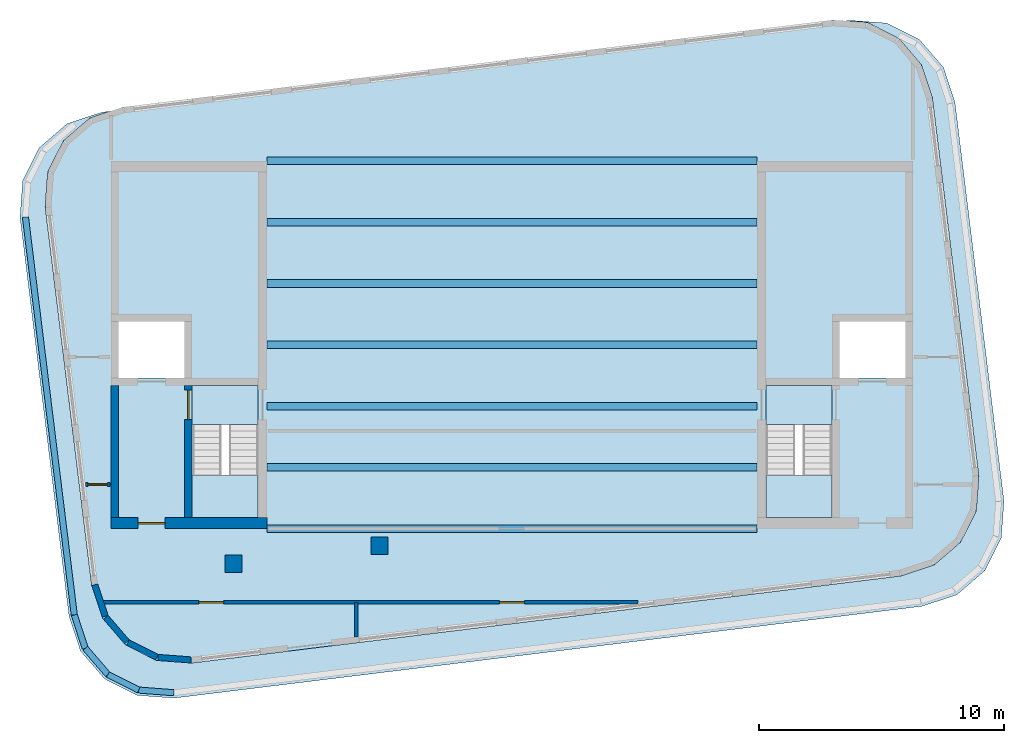
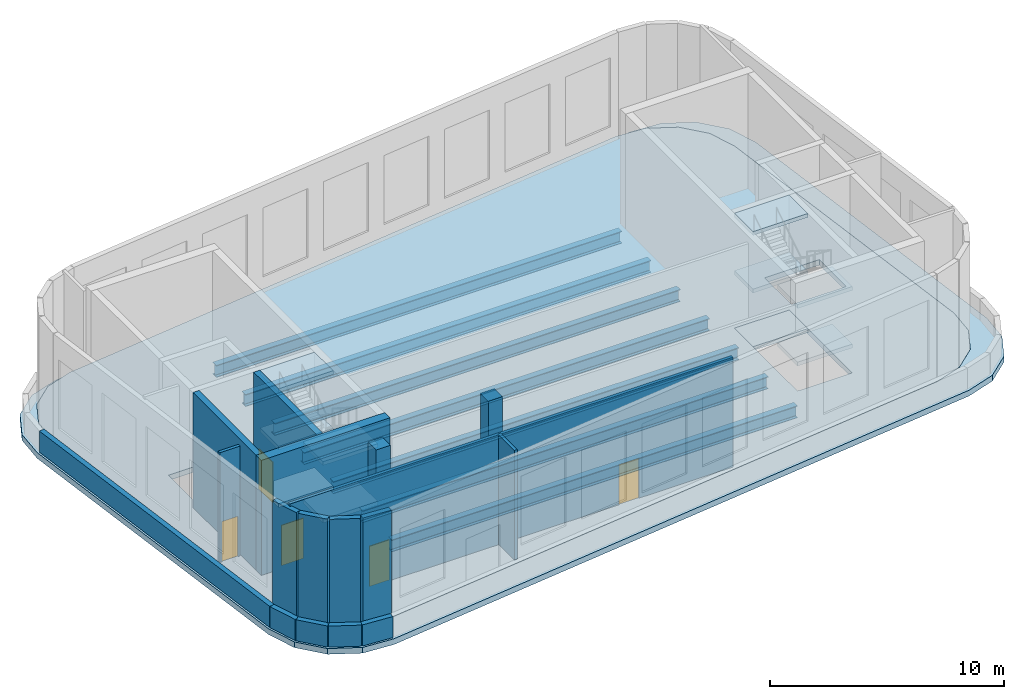
# One storey, part 1 of 5: 15 walls, 12 slabs, 7 beams, 5 doors, 2 columns, 5 openings, 2 elements without a shape of their own.
"""IFC4 building model written with IfcOpenShell, lengths in metres."""

from ifc_helpers import new_model, si_unit, direction, frame, frame_2d, origin, origin_2d, place, context, subcontext, project, spatial, polyline, rectangle, i_section, outline, extrude, material, layer, layer_set, material_profile, profile_set, type_object, element, fill, aggregate, save


model = new_model("IFC4")

# Units and contexts
model_context = context("Model", 3, precision=1e-05, world=origin(), true_north=direction((0.0, 1.0)))
body_context = subcontext(model_context, "Body", "Model", "MODEL_VIEW")
ifc_project = project(units=[si_unit("LENGTHUNIT", "METRE"), si_unit("AREAUNIT", "SQUARE_METRE"), si_unit("VOLUMEUNIT", "CUBIC_METRE"), si_unit("PLANEANGLEUNIT", "RADIAN"), si_unit("MASSUNIT", "GRAM", prefix="KILO")], contexts=[model_context])

# Site, building, storey
site_placement = place(None, origin())
site = spatial("IfcSite", under=ifc_project, at=site_placement, CompositionType="ELEMENT")
building_placement = place(site_placement, origin())
building = spatial("IfcBuilding", under=site, at=building_placement, Name="Torana Hotel and Residences", CompositionType="ELEMENT")
storey_placement = place(building_placement, frame((0.0, 0.0, 357.39990234375)))
storey = spatial("IfcBuildingStorey", under=building, at=storey_placement, Name="C4", CompositionType="ELEMENT", Elevation=357.39990234375)

# Columns
ifc_material_1 = material(Name="Concrete C40/50", Category="concrete")
ifc_material_profile_1 = material_profile(ifc_material_1, rectangle(XDim=0.699951171875, YDim=0.699951171875, at=origin_2d()), Name="RC 700x700")
ifc_profile_set_1 = profile_set([ifc_material_profile_1], Name="Concrete C40/50")
column_type = type_object("IfcColumnType", Name="COLUMN RC 700x700 C40/50", PredefinedType="COLUMN", material=ifc_profile_set_1)
for number, where, z_axis, x_axis, name in (
    (1, (-11.362060546875, -16.428955078125, 0.0), (0.0, 0.0, 1.0), (1.0, 0.0, 0.0), "Column C4"),
    (2, (-5.406982421875, -15.697998046875, 0.0), (0.0, 0.0, 1.0), (1.0, 0.0, 0.0), "Column C4"),
):
    element("IfcColumn", number, at=place(storey_placement, frame(where, z_axis=z_axis, x_axis=x_axis)), inside=storey, type_object=column_type, Name=name, PredefinedType="COLUMN", context=body_context, shape_type="SweptSolid", body=[
        extrude(rectangle(XDim=0.699951171875, YDim=0.699951171875, at=origin_2d()), origin(), (0.0, 0.0, 1.0), 6.0),
    ])

# Beams
ifc_material_2 = material(Name="Steel S355", Category="steel")
ifc_material_profile_2 = material_profile(ifc_material_2, i_section(OverallWidth=0.311279296875, OverallDepth=0.6357421875, WebThickness=0.018310546875, FlangeThickness=0.031494140625, FilletRadius=0.0166015625, at=origin_2d()), Name="610x305x238 UB")
ifc_profile_set_2 = profile_set([ifc_material_profile_2], Name="Steel S355")
beam_type = type_object("IfcBeamType", Name="STEEL GIRDER 610x305x238 UB", PredefinedType="BEAM", material=ifc_profile_set_2)
for number, where, z_axis, x_axis, name in (
    (3, (-10.0, -15.0, -0.597900390625), (1.0, 0.0, 0.0), (0.0, 1.0, 0.0), "Floor girder"),
    (4, (-10.0, -12.5, -0.597900390625), (1.0, 0.0, 0.0), (0.0, 1.0, 0.0), "Floor girder"),
    (5, (-10.0, -10.0, -0.597900390625), (1.0, 0.0, 0.0), (0.0, 1.0, 0.0), "Floor girder"),
    (6, (-10.0, -7.5, -0.597900390625), (1.0, 0.0, 0.0), (0.0, 1.0, 0.0), "Floor girder"),
    (7, (-10.0, -5.0, -0.597900390625), (1.0, 0.0, 0.0), (0.0, 1.0, 0.0), "Floor girder"),
    (8, (-10.0, -2.5, -0.597900390625), (1.0, 0.0, 0.0), (0.0, 1.0, 0.0), "Floor girder"),
    (9, (-10.0, 0.0, -0.597900390625), (1.0, 0.0, 0.0), (0.0, 1.0, 0.0), "Floor girder"),
):
    element("IfcBeam", number, at=place(storey_placement, frame(where, z_axis=z_axis, x_axis=x_axis)), inside=storey, type_object=beam_type, Name=name, PredefinedType="BEAM", context=body_context, shape_type="SweptSolid", body=[
        extrude(i_section(OverallWidth=0.311279296875, OverallDepth=0.6357421875, WebThickness=0.018310546875, FlangeThickness=0.031494140625, FilletRadius=0.0166015625, at=origin_2d()), origin(), (0.0, 0.0, 1.0), 20.0),
    ])

# Slab
ifc_material_3 = material(Name="Concrete C40/50", Category="concrete")
ifc_layer_1 = layer(ifc_material_3, 0.280029296875)
ifc_layer_set_1 = layer_set([ifc_layer_1], Name="FLOOR SLAB PT 280")
slab_type_1 = type_object("IfcSlabType", Name="FLOOR SLAB PT 280", PredefinedType="FLOOR", material=ifc_layer_set_1)
slab_1_placement = place(storey_placement, frame((0.0, 0.0, -0.27978515625)))
element("IfcSlab", 10, at=slab_1_placement, inside=storey, type_object=slab_type_1, Name="Floor slab", PredefinedType="FLOOR", context=body_context, shape_type="SweptSolid", body=[
    extrude(outline(polyline([(17.1416015625, 2.57421875), (16.696044921875, 3.9248046875), (15.767822265625, 5.002197265625), (14.497802734375, 5.642333984375), (13.07958984375, 5.747802734375), (-15.86328125, 2.194091796875), (-17.2138671875, 1.74853515625), (-18.291259765625, 0.8203125), (-18.931396484375, -0.44970703125), (-19.036865234375, -1.867919921875), (-17.1416015625, -17.30419921875), (-16.696044921875, -18.65478515625), (-15.767822265625, -19.732177734375), (-14.497802734375, -20.372314453125), (-13.07958984375, -20.477783203125), (15.86328125, -16.924072265625), (17.2138671875, -16.478515625), (18.291259765625, -15.55029296875), (18.931396484375, -14.2802734375), (19.036865234375, -12.862060546875), (17.1416015625, 2.57421875)]), holes=[polyline([(-13.050048828125, -14.550048828125), (-10.35009765625, -14.550048828125), (-10.35009765625, -9.14990234375), (-13.050048828125, -9.14990234375), (-13.050048828125, -14.550048828125)]), polyline([(-16.050048828125, -8.85009765625), (-13.35009765625, -8.85009765625), (-13.35009765625, -6.550048828125), (-16.050048828125, -6.550048828125), (-16.050048828125, -8.85009765625)]), polyline([(10.35009765625, -14.550048828125), (13.050048828125, -14.550048828125), (13.050048828125, -9.14990234375), (10.35009765625, -9.14990234375), (10.35009765625, -14.550048828125)]), polyline([(13.35009765625, -8.85009765625), (16.050048828125, -8.85009765625), (16.050048828125, -6.550048828125), (13.35009765625, -6.550048828125), (13.35009765625, -8.85009765625)])]), origin(), (0.0, 0.0, 1.0), 0.27978515625),
])

# Stair, slabs
ifc_material_4 = material(Name="Concrete C40/50 precast", Category="concrete")
stair_type_1 = type_object("IfcStairType", Name="STAIR ST1 HALF TURN 1200", PredefinedType="HALF_TURN_STAIR", material=ifc_material_4)
stair_1_placement = place(storey_placement, origin())
stair_1 = element("IfcStair", 11, at=stair_1_placement, inside=storey, type_object=stair_type_1, Name="Stair ST1 C4", PredefinedType="HALF_TURN_STAIR")
ifc_material_5 = material(Name="Concrete C40/50 precast", Category="concrete")
ifc_layer_2 = layer(ifc_material_5, 0.199951171875)
ifc_layer_set_2 = layer_set([ifc_layer_2], Name="STAIR LANDING 200")
slab_type_2 = type_object("IfcSlabType", Name="STAIR LANDING 200", PredefinedType="LANDING", material=ifc_layer_set_2)
slab_2_placement = place(storey_placement, frame((0.0, 0.0, 1.300048828125)))
slab_2 = element("IfcSlab", 12, at=slab_2_placement, type_object=slab_type_2, Name="ST1 landing 1", PredefinedType="LANDING", context=body_context, shape_type="SweptSolid", body=[
    extrude(outline(polyline([(-13.050048828125, -14.550048828125), (-10.35009765625, -14.550048828125), (-10.35009765625, -12.830078125), (-13.050048828125, -12.830078125), (-13.050048828125, -14.550048828125)])), origin(), (0.0, 0.0, 1.0), 0.199951171875),
])
slab_3_placement = place(storey_placement, frame((0.0, 0.0, -0.199951171875)))
slab_3 = element("IfcSlab", 13, at=slab_3_placement, type_object=slab_type_2, Name="ST1 landing 2", PredefinedType="LANDING", context=body_context, shape_type="SweptSolid", body=[
    extrude(outline(polyline([(-13.050048828125, -10.75), (-10.35009765625, -10.75), (-10.35009765625, -9.14990234375), (-13.050048828125, -9.14990234375), (-13.050048828125, -10.75)])), origin(), (0.0, 0.0, 1.0), 0.199951171875),
])
slab_4_placement = place(storey_placement, frame((0.0, 0.0, 4.300048828125)))
slab_4 = element("IfcSlab", 14, at=slab_4_placement, type_object=slab_type_2, Name="ST1 landing 3", PredefinedType="LANDING", context=body_context, shape_type="SweptSolid", body=[
    extrude(outline(polyline([(-13.050048828125, -14.550048828125), (-10.35009765625, -14.550048828125), (-10.35009765625, -12.830078125), (-13.050048828125, -12.830078125), (-13.050048828125, -14.550048828125)])), origin(), (0.0, 0.0, 1.0), 0.199951171875),
])
slab_5_placement = place(storey_placement, frame((0.0, 0.0, 2.800048828125)))
slab_5 = element("IfcSlab", 15, at=slab_5_placement, type_object=slab_type_2, Name="ST1 landing 4", PredefinedType="LANDING", context=body_context, shape_type="SweptSolid", body=[
    extrude(outline(polyline([(-13.050048828125, -10.75), (-10.35009765625, -10.75), (-10.35009765625, -9.14990234375), (-13.050048828125, -9.14990234375), (-13.050048828125, -10.75)])), origin(), (0.0, 0.0, 1.0), 0.199951171875),
])
slab_6_placement = place(storey_placement, frame((0.0, 0.0, 5.800048828125)))
slab_6 = element("IfcSlab", 16, at=slab_6_placement, type_object=slab_type_2, Name="ST1 landing 5", PredefinedType="LANDING", context=body_context, shape_type="SweptSolid", body=[
    extrude(outline(polyline([(-13.050048828125, -10.75), (-10.35009765625, -10.75), (-10.35009765625, -9.14990234375), (-13.050048828125, -9.14990234375), (-13.050048828125, -10.75)])), origin(), (0.0, 0.0, 1.0), 0.199951171875),
])
aggregate(stair_1, [slab_2, slab_3, slab_4, slab_5, slab_6])

ifc_material_6 = material(Name="Concrete C40/50 precast", Category="concrete")
stair_type_2 = type_object("IfcStairType", Name="STAIR ST3 HALF TURN 1200", PredefinedType="HALF_TURN_STAIR", material=ifc_material_6)
stair_2_placement = place(storey_placement, origin())
stair_2 = element("IfcStair", 17, at=stair_2_placement, inside=storey, type_object=stair_type_2, Name="Stair ST3 C4", PredefinedType="HALF_TURN_STAIR")
slab_7_placement = place(storey_placement, frame((0.0, 0.0, 1.300048828125)))
slab_7 = element("IfcSlab", 18, at=slab_7_placement, type_object=slab_type_2, Name="ST3 landing 1", PredefinedType="LANDING", context=body_context, shape_type="SweptSolid", body=[
    extrude(outline(polyline([(10.35009765625, -14.550048828125), (13.050048828125, -14.550048828125), (13.050048828125, -12.830078125), (10.35009765625, -12.830078125), (10.35009765625, -14.550048828125)])), origin(), (0.0, 0.0, 1.0), 0.199951171875),
])
slab_8_placement = place(storey_placement, frame((0.0, 0.0, -0.199951171875)))
slab_8 = element("IfcSlab", 19, at=slab_8_placement, type_object=slab_type_2, Name="ST3 landing 2", PredefinedType="LANDING", context=body_context, shape_type="SweptSolid", body=[
    extrude(outline(polyline([(10.35009765625, -10.75), (13.050048828125, -10.75), (13.050048828125, -9.14990234375), (10.35009765625, -9.14990234375), (10.35009765625, -10.75)])), origin(), (0.0, 0.0, 1.0), 0.199951171875),
])
slab_9_placement = place(storey_placement, frame((0.0, 0.0, 4.300048828125)))
slab_9 = element("IfcSlab", 20, at=slab_9_placement, type_object=slab_type_2, Name="ST3 landing 3", PredefinedType="LANDING", context=body_context, shape_type="SweptSolid", body=[
    extrude(outline(polyline([(10.35009765625, -14.550048828125), (13.050048828125, -14.550048828125), (13.050048828125, -12.830078125), (10.35009765625, -12.830078125), (10.35009765625, -14.550048828125)])), origin(), (0.0, 0.0, 1.0), 0.199951171875),
])
slab_10_placement = place(storey_placement, frame((0.0, 0.0, 2.800048828125)))
slab_10 = element("IfcSlab", 21, at=slab_10_placement, type_object=slab_type_2, Name="ST3 landing 4", PredefinedType="LANDING", context=body_context, shape_type="SweptSolid", body=[
    extrude(outline(polyline([(10.35009765625, -10.75), (13.050048828125, -10.75), (13.050048828125, -9.14990234375), (10.35009765625, -9.14990234375), (10.35009765625, -10.75)])), origin(), (0.0, 0.0, 1.0), 0.199951171875),
])
slab_11_placement = place(storey_placement, frame((0.0, 0.0, 5.800048828125)))
slab_11 = element("IfcSlab", 22, at=slab_11_placement, type_object=slab_type_2, Name="ST3 landing 5", PredefinedType="LANDING", context=body_context, shape_type="SweptSolid", body=[
    extrude(outline(polyline([(10.35009765625, -10.75), (13.050048828125, -10.75), (13.050048828125, -9.14990234375), (10.35009765625, -9.14990234375), (10.35009765625, -10.75)])), origin(), (0.0, 0.0, 1.0), 0.199951171875),
])
aggregate(stair_2, [slab_7, slab_8, slab_9, slab_10, slab_11])

# Slab
ifc_material_7 = material(Name="Concrete C40/50", Category="concrete")
ifc_layer_3 = layer(ifc_material_7, 0.300048828125)
ifc_layer_set_3 = layer_set([ifc_layer_3], Name="TR1 TERRACE SLAB 300")
slab_type_3 = type_object("IfcSlabType", Name="TR1 TERRACE SLAB 300", PredefinedType="USERDEFINED", material=ifc_layer_set_3)
slab_12_placement = place(storey_placement, frame((0.0, 0.0, -0.2998046875)))
element("IfcSlab", 23, at=slab_12_placement, inside=storey, type_object=slab_type_3, Name="Terrace C4 1", ObjectType="TERRACE", PredefinedType="USERDEFINED", context=body_context, shape_type="SweptSolid", body=[
    extrude(outline(polyline([(13.787109375, 5.73388671875), (15.281982421875, 5.623046875), (16.62060546875, 4.9482421875), (17.599365234375, 3.8125), (18.068603515625, 2.388916015625), (20.06640625, -13.88232421875), (19.955322265625, -15.377197265625), (19.28076171875, -16.716064453125), (18.14501953125, -17.694580078125), (16.72119140625, -18.1640625), (-13.787109375, -21.909912109375), (-15.281982421875, -21.798828125), (-16.62060546875, -21.1240234375), (-17.599365234375, -19.98828125), (-18.068603515625, -18.564697265625), (-20.06640625, -2.293701171875), (-19.955322265625, -0.798583984375), (-19.28076171875, 0.5400390625), (-18.14501953125, 1.518798828125), (-16.72119140625, 1.98828125), (-16.35400390625, 2.033203125), (-17.214111328125, 1.74951171875), (-17.21435546875, 1.74951171875), (-17.21435546875, 1.74951171875), (-17.214599609375, 1.74951171875), (-17.214599609375, 1.74951171875), (-18.2919921875, 0.821044921875), (-18.2919921875, 0.821044921875), (-18.2919921875, 0.82080078125), (-18.2919921875, 0.82080078125), (-18.292236328125, 0.82080078125), (-18.932373046875, -0.44921875), (-18.932373046875, -0.44921875), (-18.932373046875, -0.449462890625), (-18.932373046875, -0.449462890625), (-18.932373046875, -0.44970703125), (-19.037841796875, -1.867919921875), (-19.037841796875, -1.867919921875), (-19.037841796875, -1.8681640625), (-17.142578125, -17.30419921875), (-17.142578125, -17.30419921875), (-17.142333984375, -17.304443359375), (-16.697021484375, -18.655029296875), (-16.697021484375, -18.6552734375), (-16.697021484375, -18.6552734375), (-16.697021484375, -18.655517578125), (-16.697021484375, -18.655517578125), (-15.7685546875, -19.73291015625), (-15.7685546875, -19.73291015625), (-15.768310546875, -19.73291015625), (-15.768310546875, -19.73291015625), (-15.768310546875, -19.733154296875), (-14.498291015625, -20.373291015625), (-14.498291015625, -20.373291015625), (-14.498046875, -20.373291015625), (-14.498046875, -20.373291015625), (-14.497802734375, -20.373291015625), (-13.07958984375, -20.478759765625), (-13.07958984375, -20.478759765625), (-13.079345703125, -20.478759765625), (15.86328125, -16.925048828125), (15.86328125, -16.925048828125), (15.863525390625, -16.925048828125), (17.214111328125, -16.4794921875), (17.21435546875, -16.4794921875), (17.21435546875, -16.4794921875), (17.214599609375, -16.4794921875), (17.214599609375, -16.4794921875), (18.2919921875, -15.551025390625), (18.2919921875, -15.551025390625), (18.2919921875, -15.55078125), (18.2919921875, -15.55078125), (18.292236328125, -15.55078125), (18.932373046875, -14.28076171875), (18.932373046875, -14.28076171875), (18.932373046875, -14.280517578125), (18.932373046875, -14.280517578125), (18.932373046875, -14.280517578125), (19.037841796875, -12.862060546875), (19.037841796875, -12.862060546875), (19.037841796875, -12.86181640625), (17.142578125, 2.57421875), (17.142578125, 2.57421875), (17.142333984375, 2.574462890625), (16.697021484375, 3.925048828125), (16.697021484375, 3.92529296875), (16.697021484375, 3.92529296875), (16.697021484375, 3.92529296875), (16.697021484375, 3.925537109375), (15.7685546875, 5.0029296875), (15.7685546875, 5.0029296875), (15.768310546875, 5.0029296875), (15.768310546875, 5.0029296875), (15.768310546875, 5.003173828125), (14.498291015625, 5.643310546875), (14.498291015625, 5.643310546875), (14.498046875, 5.643310546875), (14.498046875, 5.643310546875), (14.497802734375, 5.643310546875), (13.5947265625, 5.71044921875), (13.787109375, 5.73388671875)])), origin(), (0.0, 0.0, 1.0), 0.2998046875),
])

# Wall
ifc_material_8 = material(Name="Concrete C50/60", Category="concrete")
ifc_layer_4 = layer(ifc_material_8, 0.300048828125)
ifc_layer_set_4 = layer_set([ifc_layer_4], Name="CORE WALL 300 C50/60")
wall_type_1 = type_object("IfcWallType", Name="CORE WALL 300 C50/60", PredefinedType="SHEAR", material=ifc_layer_set_4)
wall_1_placement = place(storey_placement, frame((-16.199951171875, -14.550048828125, 0.0), z_axis=(0.0, 0.0, 1.0), x_axis=(0.0, 1.0, 0.0)))
element("IfcWall", 24, at=wall_1_placement, inside=storey, type_object=wall_type_1, Name="Core wall W outer-s", PredefinedType="SHEAR", context=body_context, shape_type="SweptSolid", body=[
    extrude(rectangle(XDim=5.400146484375, YDim=0.300048828125, at=frame_2d((2.7001953125, 0.0))), origin(), (0.0, 0.0, 1.0), 6.0),
])

# Wall, opening, door
wall_2_placement = place(storey_placement, frame((-13.199951171875, -14.550048828125, 0.0), z_axis=(0.0, 0.0, 1.0), x_axis=(0.0, 1.0, 0.0)))
wall_2 = element("IfcWall", 25, at=wall_2_placement, inside=storey, type_object=wall_type_1, Name="Core wall W x3.05-band", PredefinedType="SHEAR", context=body_context, shape_type="SweptSolid", body=[
    extrude(rectangle(XDim=5.400146484375, YDim=0.300048828125, at=frame_2d((2.7001953125, 0.0))), origin(), (0.0, 0.0, 1.0), 6.0),
])
opening_1_placement = place(wall_2_placement, frame((4.0, 0.0, 0.0)))
opening_1 = element("IfcOpeningElement", 26, at=opening_1_placement, cuts=wall_2, Name="Opening C4-03", PredefinedType="OPENING", context=body_context, shape_type="SweptSolid", body=[
    extrude(rectangle(XDim=1.199951171875, YDim=2.10009765625, at=frame_2d((0.60009765625, 1.050048828125))), frame((0.0, 0.159912109375, 0.0), z_axis=(0.0, -1.0, 0.0), x_axis=(1.0, 0.0, 0.0)), (0.0, 0.0, 1.0), 0.320068359375),
])
ifc_material_9 = material(Name="Steel S235", Category="steel")
door_type_1 = type_object("IfcDoorType", Name="STAIR FIRE DOOR D3 1200x2100", OperationType="SINGLE_SWING_LEFT", PredefinedType="DOOR", material=ifc_material_9)
door_1_placement = place(opening_1_placement, frame((0.60009765625, 0.0, 0.0), z_axis=(0.0, 0.0, 1.0), x_axis=(-1.0, 0.0, 0.0)))
door_1 = element("IfcDoor", 27, at=door_1_placement, inside=storey, type_object=door_type_1, Name="Stair-A-lobby door C4", OperationType="SINGLE_SWING_RIGHT", OverallHeight=2.10009765625, OverallWidth=1.199951171875, PredefinedType="DOOR", context=body_context, shape_type="SweptSolid", body=[
    extrude(rectangle(XDim=1.199951171875, YDim=2.10009765625, at=frame_2d((0.0, 1.050048828125))), frame((0.0, -0.02490234375, 0.0), z_axis=(0.0, 1.0, 0.0), x_axis=(-1.0, 0.0, 0.0)), (0.0, 0.0, 1.0), 0.050048828125),
])
fill(opening_1, door_1)

ifc_material_10 = material(Name="Concrete C50/60", Category="concrete")
ifc_layer_5 = layer(ifc_material_10, 0.449951171875)
ifc_layer_set_5 = layer_set([ifc_layer_5], Name="CORE WALL 450 C50/60")
wall_type_2 = type_object("IfcWallType", Name="CORE WALL 450 C50/60", PredefinedType="SHEAR", material=ifc_layer_set_5)
wall_3_placement = place(storey_placement, frame((-16.35009765625, -14.77490234375, 0.0), z_axis=(0.0, 0.0, 1.0), x_axis=(1.0, 0.0, 0.0)))
wall_3 = element("IfcWall", 28, at=wall_3_placement, inside=storey, type_object=wall_type_2, Name="Core wall W front", PredefinedType="SHEAR", context=body_context, shape_type="SweptSolid", body=[
    extrude(rectangle(XDim=6.35009765625, YDim=0.449951171875, at=frame_2d((3.175048828125, 0.0))), origin(), (0.0, 0.0, 1.0), 6.0),
])
opening_2_placement = place(wall_3_placement, frame((1.10009765625, 0.0, 0.0)))
opening_2 = element("IfcOpeningElement", 29, at=opening_2_placement, cuts=wall_3, Name="Opening C4-02", PredefinedType="OPENING", context=body_context, shape_type="SweptSolid", body=[
    extrude(rectangle(XDim=1.10009765625, YDim=2.10009765625, at=frame_2d((0.550048828125, 1.050048828125))), frame((0.0, 0.23486328125, 0.0), z_axis=(0.0, -1.0, 0.0), x_axis=(1.0, 0.0, 0.0)), (0.0, 0.0, 1.0), 0.469970703125),
])
ifc_material_11 = material(Name="Steel S235", Category="steel")
door_type_2 = type_object("IfcDoorType", Name="FIRE-FIGHTING LOBBY DOOR D8 1100x2100", OperationType="SINGLE_SWING_LEFT", PredefinedType="DOOR", material=ifc_material_11)
door_2_placement = place(opening_2_placement, origin())
door_2 = element("IfcDoor", 30, at=door_2_placement, inside=storey, type_object=door_type_2, Name="FF-lobby door C4", OperationType="SINGLE_SWING_RIGHT", OverallHeight=2.10009765625, OverallWidth=1.10009765625, PredefinedType="DOOR", context=body_context, shape_type="SweptSolid", body=[
    extrude(rectangle(XDim=1.10009765625, YDim=2.10009765625, at=frame_2d((0.550048828125, 1.050048828125))), frame((0.0, 0.02490234375, 0.0), z_axis=(0.0, -1.0, 0.0), x_axis=(1.0, 0.0, 0.0)), (0.0, 0.0, 1.0), 0.050048828125),
])
fill(opening_2, door_2)

# Walls
ifc_material_12 = material(Name="Aluminium louvre wall", Category="aluminium")
ifc_layer_6 = layer(ifc_material_12, 0.25)
ifc_layer_set_6 = layer_set([ifc_layer_6], Name="EW3 LOUVRE WALL 250")
wall_type_3 = type_object("IfcWallType", Name="EW3 LOUVRE WALL 250", PredefinedType="SOLIDWALL", material=ifc_layer_set_6)
wall_4_placement = place(storey_placement, frame((-17.01513671875, -17.288330078125, 0.0), z_axis=(0.0, 0.0, 1.0), x_axis=(0.313183064829, -0.949692775535, 0.0)))
element("IfcWall", 31, at=wall_4_placement, inside=storey, type_object=wall_type_3, Name="Louvre wall C4 e0.10", PredefinedType="SOLIDWALL", context=body_context, shape_type="SweptSolid", body=[
    extrude(rectangle(XDim=1.347900390625, YDim=0.25, at=frame_2d((0.673828125, 0.0))), origin(), (0.0, 0.0, 1.0), 5.590087890625),
])
wall_5_placement = place(storey_placement, frame((-16.56884765625, -18.61083984375, 0.0), z_axis=(0.0, 0.0, 1.0), x_axis=(0.652735106061, -0.757586220384, 0.0)))
element("IfcWall", 32, at=wall_5_placement, inside=storey, type_object=wall_type_3, Name="Louvre wall C4 e0.11", PredefinedType="SOLIDWALL", context=body_context, shape_type="SweptSolid", body=[
    extrude(rectangle(XDim=1.322509765625, YDim=0.25, at=frame_2d((0.6611328125, 0.0))), origin(), (0.0, 0.0, 1.0), 5.590087890625),
])
wall_6_placement = place(storey_placement, frame((-15.6669921875, -19.64306640625, 0.0), z_axis=(0.0, 0.0, 1.0), x_axis=(0.893019948066, -0.450017080071, 0.0)))
element("IfcWall", 33, at=wall_6_placement, inside=storey, type_object=wall_type_3, Name="Louvre wall C4 e0.12", PredefinedType="SOLIDWALL", context=body_context, shape_type="SweptSolid", body=[
    extrude(rectangle(XDim=1.32275390625, YDim=0.25, at=frame_2d((0.661376953125, 0.0))), origin(), (0.0, 0.0, 1.0), 5.590087890625),
])
wall_7_placement = place(storey_placement, frame((-14.43896484375, -20.251220703125, 0.0), z_axis=(0.0, 0.0, 1.0), x_axis=(0.99723901669, -0.074258626379, 0.0)))
element("IfcWall", 34, at=wall_7_placement, inside=storey, type_object=wall_type_3, Name="Louvre wall C4 e0.13", PredefinedType="SOLIDWALL", context=body_context, shape_type="SweptSolid", body=[
    extrude(rectangle(XDim=1.347900390625, YDim=0.25, at=frame_2d((0.673828125, 0.0))), origin(), (0.0, 0.0, 1.0), 5.590087890625),
])

# Wall, openings, doors
ifc_material_13 = material(Name="Gypsum plaster")
ifc_layer_7 = layer(ifc_material_13, 0.014892578125, Name="Plaster", Category="finish")
ifc_material_14 = material(Name="Concrete blockwork", Category="masonry")
ifc_layer_8 = layer(ifc_material_14, 0.1201171875, Name="Blockwork", Category="structure")
ifc_layer_9 = layer(ifc_material_13, 0.014892578125, Name="Plaster", Category="finish")
ifc_layer_set_7 = layer_set([ifc_layer_7, ifc_layer_8, ifc_layer_9], Name="FIRE PARTITION 150 BLOCKWORK")
wall_type_4 = type_object("IfcWallType", Name="FIRE PARTITION 150 BLOCKWORK", PredefinedType="PARTITIONING", material=ifc_layer_set_7)
wall_8_placement = place(storey_placement, frame((-16.722412109375, -18.0, 0.0), z_axis=(0.0, 0.0, 1.0), x_axis=(1.0, 0.0, 0.0)))
wall_8 = element("IfcWall", 35, at=wall_8_placement, inside=storey, type_object=wall_type_4, Name="Partition C4", PredefinedType="PARTITIONING", context=body_context, shape_type="SweptSolid", body=[
    extrude(rectangle(XDim=21.853515625, YDim=0.14990234375, at=frame_2d((10.9267578125, 0.0))), origin(), (0.0, 0.0, 1.0), 5.72021484375),
])
opening_3_placement = place(wall_8_placement, frame((3.95654296875, 0.0, 0.0)))
opening_3 = element("IfcOpeningElement", 36, at=opening_3_placement, cuts=wall_8, Name="Opening C4-08", PredefinedType="OPENING", context=body_context, shape_type="SweptSolid", body=[
    extrude(rectangle(XDim=1.0, YDim=2.10009765625, at=frame_2d((0.5, 1.050048828125))), frame((0.0, 0.0849609375, 0.0), z_axis=(0.0, -1.0, 0.0), x_axis=(1.0, 0.0, 0.0)), (0.0, 0.0, 1.0), 0.169921875),
])
opening_4_placement = place(wall_8_placement, frame((16.222412109375, 0.0, 0.0)))
opening_4 = element("IfcOpeningElement", 37, at=opening_4_placement, cuts=wall_8, Name="Opening C4-09", PredefinedType="OPENING", context=body_context, shape_type="SweptSolid", body=[
    extrude(rectangle(XDim=1.0, YDim=2.10009765625, at=frame_2d((0.5, 1.050048828125))), frame((0.0, 0.0849609375, 0.0), z_axis=(0.0, -1.0, 0.0), x_axis=(1.0, 0.0, 0.0)), (0.0, 0.0, 1.0), 0.169921875),
])
ifc_material_15 = material(Name="Steel S235", Category="steel")
door_type_3 = type_object("IfcDoorType", Name="ENTRY FIRE DOOR D6 1000x2100", OperationType="SINGLE_SWING_LEFT", PredefinedType="DOOR", material=ifc_material_15)
door_3_placement = place(opening_3_placement, frame((0.5, 0.0, 0.0), z_axis=(0.0, 0.0, 1.0), x_axis=(-1.0, 0.0, 0.0)))
door_3 = element("IfcDoor", 38, at=door_3_placement, inside=storey, type_object=door_type_3, Name="Door C4", OperationType="SINGLE_SWING_LEFT", OverallHeight=2.10009765625, OverallWidth=1.0, PredefinedType="DOOR", context=body_context, shape_type="SweptSolid", body=[
    extrude(rectangle(XDim=1.0, YDim=2.10009765625, at=frame_2d((0.0, 1.050048828125))), frame((0.0, -0.02490234375, 0.0), z_axis=(0.0, 1.0, 0.0), x_axis=(-1.0, 0.0, 0.0)), (0.0, 0.0, 1.0), 0.050048828125),
])
fill(opening_3, door_3)
door_4_placement = place(opening_4_placement, frame((0.5, 0.0, 0.0), z_axis=(0.0, 0.0, 1.0), x_axis=(-1.0, 0.0, 0.0)))
door_4 = element("IfcDoor", 39, at=door_4_placement, inside=storey, type_object=door_type_3, Name="Door C4", OperationType="SINGLE_SWING_LEFT", OverallHeight=2.10009765625, OverallWidth=1.0, PredefinedType="DOOR", context=body_context, shape_type="SweptSolid", body=[
    extrude(rectangle(XDim=1.0, YDim=2.10009765625, at=frame_2d((0.0, 1.050048828125))), frame((0.0, -0.02490234375, 0.0), z_axis=(0.0, 1.0, 0.0), x_axis=(-1.0, 0.0, 0.0)), (0.0, 0.0, 1.0), 0.050048828125),
])
fill(opening_4, door_4)

# Wall, opening, door
wall_9_placement = place(storey_placement, frame((-17.403564453125, -13.199951171875, 0.0), z_axis=(0.0, 0.0, 1.0), x_axis=(1.0, 0.0, 0.0)))
wall_9 = element("IfcWall", 40, at=wall_9_placement, inside=storey, type_object=wall_type_4, Name="Partition C4", PredefinedType="PARTITIONING", context=body_context, shape_type="SweptSolid", body=[
    extrude(rectangle(XDim=1.003662109375, YDim=0.14990234375, at=frame_2d((0.501953125, 0.0))), origin(), (0.0, 0.0, 1.0), 5.72021484375),
])
opening_5_placement = place(wall_9_placement, frame((0.101806640625, 0.0, 0.0)))
opening_5 = element("IfcOpeningElement", 41, at=opening_5_placement, cuts=wall_9, Name="Opening C4-10", PredefinedType="OPENING", context=body_context, shape_type="SweptSolid", body=[
    extrude(rectangle(XDim=0.800048828125, YDim=2.10009765625, at=frame_2d((0.39990234375, 1.050048828125))), frame((0.0, 0.0849609375, 0.0), z_axis=(0.0, -1.0, 0.0), x_axis=(1.0, 0.0, 0.0)), (0.0, 0.0, 1.0), 0.169921875),
])
ifc_material_16 = material(Name="Steel S235", Category="steel")
door_type_4 = type_object("IfcDoorType", Name="STORE FIRE DOOR D16 800x2100", OperationType="SINGLE_SWING_LEFT", PredefinedType="DOOR", material=ifc_material_16)
door_5_placement = place(opening_5_placement, origin())
door_5 = element("IfcDoor", 42, at=door_5_placement, inside=storey, type_object=door_type_4, Name="Door C4", OperationType="SINGLE_SWING_RIGHT", OverallHeight=2.10009765625, OverallWidth=0.800048828125, PredefinedType="DOOR", context=body_context, shape_type="SweptSolid", body=[
    extrude(rectangle(XDim=0.800048828125, YDim=2.10009765625, at=frame_2d((0.39990234375, 1.050048828125))), frame((0.0, 0.02490234375, 0.0), z_axis=(0.0, -1.0, 0.0), x_axis=(1.0, 0.0, 0.0)), (0.0, 0.0, 1.0), 0.050048828125),
])
fill(opening_5, door_5)

# Walls
ifc_material_17 = material(Name="Gypsum plasterboard")
ifc_layer_10 = layer(ifc_material_17, 0.012451171875, Name="Plasterboard", Category="finish")
ifc_layer_11 = layer(ifc_material_17, 0.012451171875, Name="Plasterboard", Category="finish")
ifc_material_18 = material(Name="Steel S280GD", Category="steel")
ifc_layer_12 = layer(ifc_material_18, 0.10009765625, Name="Steel studs with mineral wool", Category="insulation")
ifc_layer_13 = layer(ifc_material_17, 0.012451171875, Name="Plasterboard", Category="finish")
ifc_layer_14 = layer(ifc_material_17, 0.012451171875, Name="Plasterboard", Category="finish")
ifc_layer_set_8 = layer_set([ifc_layer_10, ifc_layer_11, ifc_layer_12, ifc_layer_13, ifc_layer_14], Name="PARTITION 150 PLASTERBOARD")
wall_type_5 = type_object("IfcWallType", Name="PARTITION 150 PLASTERBOARD", PredefinedType="PARTITIONING", material=ifc_layer_set_8)
wall_10_placement = place(storey_placement, frame((-6.345947265625, -19.4091796875, 0.0), z_axis=(0.0, 0.0, 1.0), x_axis=(0.0, 1.0, 0.0)))
element("IfcWall", 43, at=wall_10_placement, inside=storey, type_object=wall_type_5, Name="Partition C4", PredefinedType="PARTITIONING", context=body_context, shape_type="SweptSolid", body=[
    extrude(rectangle(XDim=1.4091796875, YDim=0.14990234375, at=frame_2d((0.70458984375, 0.0))), origin(), (0.0, 0.0, 1.0), 5.72021484375),
])
ifc_material_19 = material(Name="Aluminium coping with drip", Category="aluminium")
ifc_layer_15 = layer(ifc_material_19, 0.0029296875, Name="Coping flashing", Category="flashing")
ifc_material_20 = material(Name="Concrete C40/50 precast", Category="concrete")
ifc_layer_16 = layer(ifc_material_20, 0.00390625, Name="Cladding", Category="cladding")
ifc_material_21 = material(Name="Concrete C40/50", Category="concrete")
ifc_layer_17 = layer(ifc_material_21, 0.199951171875, Name="Wall", Category="structure")
ifc_material_22 = material(Name="Mineral wool insulation")
ifc_layer_18 = layer(ifc_material_22, 0.0400390625, Name="Insulation", Category="insulation")
ifc_material_23 = material(Name="Waterproofing upstand")
ifc_layer_19 = layer(ifc_material_23, 0.0029296875, Name="Upstand membrane", Category="membrane")
ifc_layer_set_9 = layer_set([ifc_layer_15, ifc_layer_16, ifc_layer_17, ifc_layer_18, ifc_layer_19], Name="PP1 PARAPET 250")
wall_type_6 = type_object("IfcWallType", Name="PP1 PARAPET 250", PredefinedType="PARAPET", material=ifc_layer_set_9)
wall_11_placement = place(storey_placement, frame((-13.792236328125, -21.68896484375, 0.0), z_axis=(0.0, 0.0, 1.0), x_axis=(-0.997240743077, 0.074235438617, 0.0)))
element("IfcWall", 44, at=wall_11_placement, inside=storey, type_object=wall_type_6, Name="Roof parapet C4 10", PredefinedType="PARAPET", context=body_context, shape_type="SweptSolid", body=[
    extrude(rectangle(XDim=1.433837890625, YDim=0.25, at=frame_2d((0.716796875, 0.0))), origin(), (0.0, 0.0, 1.0), 1.10009765625),
])
for number, where, z_axis, x_axis, name in (
    (45, (-15.22216796875, -21.58251953125, 0.0), (0.0, 0.0, 1.0), (-0.893004402093, 0.450047928384, 0.0), "Roof parapet C4 11"),
    (46, (-16.482666015625, -20.947265625, 0.0), (0.0, 0.0, 1.0), (-0.652754843476, 0.75756921421, 0.0), "Roof parapet C4 12"),
):
    element("IfcWall", number, at=place(storey_placement, frame(where, z_axis=z_axis, x_axis=x_axis)), inside=storey, type_object=wall_type_6, Name=name, PredefinedType="PARAPET", context=body_context, shape_type="SweptSolid", body=[
        extrude(rectangle(XDim=1.41162109375, YDim=0.25, at=frame_2d((0.705810546875, 0.0))), origin(), (0.0, 0.0, 1.0), 1.10009765625),
    ])
wall_12_placement = place(storey_placement, frame((-17.404052734375, -19.8779296875, 0.0), z_axis=(0.0, 0.0, 1.0), x_axis=(-0.313160918809, 0.949700078409, 0.0)))
element("IfcWall", 47, at=wall_12_placement, inside=storey, type_object=wall_type_6, Name="Roof parapet C4 13", PredefinedType="PARAPET", context=body_context, shape_type="SweptSolid", body=[
    extrude(rectangle(XDim=1.43359375, YDim=0.25, at=frame_2d((0.716796875, 0.0))), origin(), (0.0, 0.0, 1.0), 1.10009765625),
])
wall_13_placement = place(storey_placement, frame((-17.85302734375, -18.516357421875, 0.0), z_axis=(0.0, 0.0, 1.0), x_axis=(-0.12186213875, 0.992547036235, 0.0)))
element("IfcWall", 48, at=wall_13_placement, inside=storey, type_object=wall_type_6, Name="Roof parapet C4 14", PredefinedType="PARAPET", context=body_context, shape_type="SweptSolid", body=[
    extrude(rectangle(XDim=16.349853515625, YDim=0.25, at=frame_2d((8.1748046875, 0.0))), origin(), (0.0, 0.0, 1.0), 1.10009765625),
])

save(model, "model.ifc")
